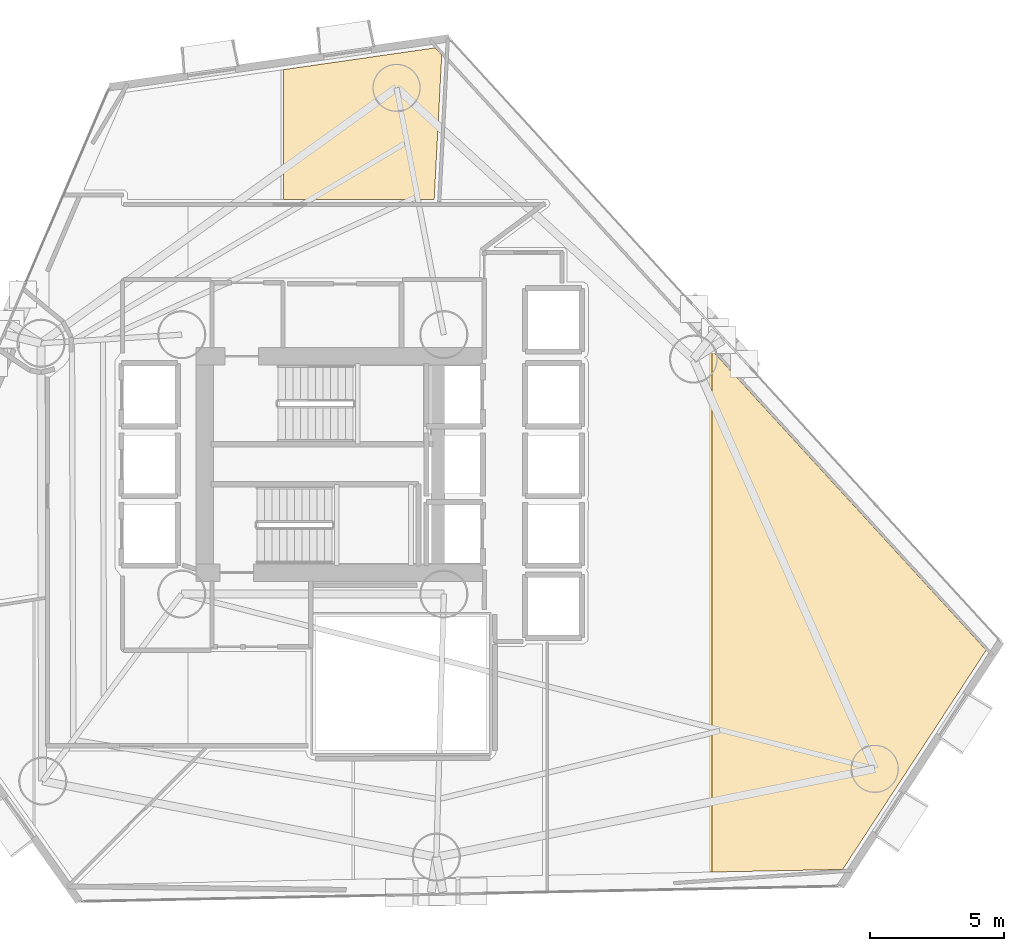
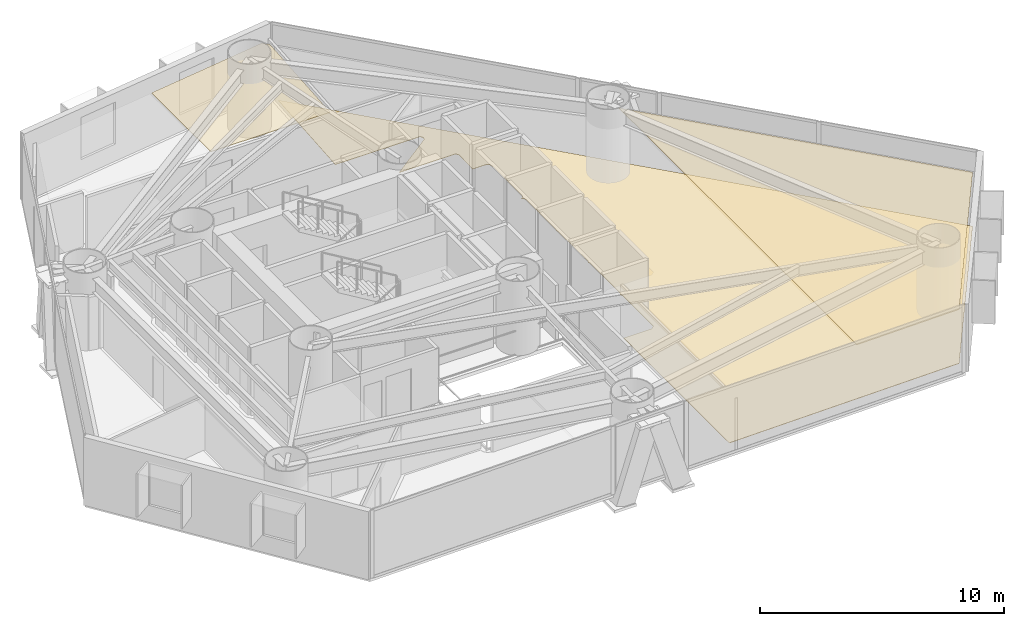
# One storey, part 22 of 22: 3 coverings.
"""IFC4 building model written with IfcOpenShell, lengths in metres."""

from ifc_helpers import new_model, si_unit, direction, frame, origin, place, context, subcontext, project, spatial, polyline, outline, extrude, material, layer, layer_set, type_object, element, save


model = new_model("IFC4")

# Units and contexts
model_context = context("Model", 3, precision=1e-05, world=origin(), true_north=direction((0.0, 1.0)))
body_context = subcontext(model_context, "Body", "Model", "MODEL_VIEW")
ifc_project = project(units=[si_unit("LENGTHUNIT", "METRE"), si_unit("AREAUNIT", "SQUARE_METRE"), si_unit("VOLUMEUNIT", "CUBIC_METRE"), si_unit("PLANEANGLEUNIT", "RADIAN"), si_unit("MASSUNIT", "GRAM", prefix="KILO")], contexts=[model_context])

# Site, building, storey
site_placement = place(None, origin())
site = spatial("IfcSite", under=ifc_project, at=site_placement, CompositionType="ELEMENT")
building_placement = place(site_placement, origin())
building = spatial("IfcBuilding", under=site, at=building_placement, Name="Qianvela Tower", CompositionType="ELEMENT")
storey_placement = place(building_placement, frame((0.0, 0.0, 44.199951171875)))
storey = spatial("IfcBuildingStorey", under=building, at=storey_placement, Name="L10", CompositionType="ELEMENT", Elevation=44.199951171875)

# Coverings
ifc_material_1 = material(Name="Perforated Mineral Acoustic Ceiling Tile")
ifc_layer_1 = layer(ifc_material_1, 0.02490234375)
ifc_layer_set_1 = layer_set([ifc_layer_1], Name="Perforated Mineral Acoustic Ceiling Tile")
covering_type_1 = type_object("IfcCoveringType", Name="COV-CEIL-ACOUSTIC-25", PredefinedType="CEILING", material=ifc_layer_set_1)
covering_1_placement = place(storey_placement, frame((0.0, 0.0, 2.695068359375)))
element("IfcCovering", 1, at=covering_1_placement, inside=storey, type_object=covering_type_1, Name="L10 Acoustic Ceiling Bay 2 Quiet Reading Study L10-02", PredefinedType="CEILING", context=body_context, shape_type="SweptSolid", body=[
    extrude(outline(polyline([(58.677978515625, 21.7529296875), (53.30859375, 13.5546875), (48.425537109375, 13.4580078125), (48.425537109375, 32.96240234375), (58.677978515625, 21.7529296875)])), origin(), (0.0, 0.0, 1.0), 0.02490234375),
])
covering_2_placement = place(storey_placement, frame((0.0, 0.0, 2.695068359375)))
element("IfcCovering", 2, at=covering_2_placement, inside=storey, type_object=covering_type_1, Name="L10 Acoustic Ceiling Bay 2 Panoramic Study Lounge L10-03", PredefinedType="CEILING", context=body_context, shape_type="SweptSolid", body=[
    extrude(outline(polyline([(38.038818359375, 38.610107421875), (32.39892578125, 38.610107421875), (32.39892578125, 43.457763671875), (38.078857421875, 44.27490234375), (38.32177734375, 44.009521484375), (38.038818359375, 38.610107421875)])), origin(), (0.0, 0.0, 1.0), 0.02490234375),
])
ifc_material_2 = material(Name="Engineered Acoustic Oak Timber Flooring", Category="wood")
ifc_layer_2 = layer(ifc_material_2, 0.02001953125)
ifc_layer_set_2 = layer_set([ifc_layer_2], Name="Engineered Acoustic Oak Timber Flooring")
covering_type_2 = type_object("IfcCoveringType", Name="COV-FLOOR-OAK-20", PredefinedType="FLOORING", material=ifc_layer_set_2)
covering_3_placement = place(storey_placement, origin())
element("IfcCovering", 3, at=covering_3_placement, inside=storey, type_object=covering_type_2, Name="L10 Finish Flooring Quiet Reading Study L10-02", PredefinedType="FLOORING", context=body_context, shape_type="SweptSolid", body=[
    extrude(outline(polyline([(42.3173828125, 21.97998046875), (43.59375, 21.980712890625), (43.6015625, 21.981201171875), (43.609375, 21.982177734375), (43.616943359375, 21.984130859375), (43.624267578125, 21.98681640625), (43.63134765625, 21.989990234375), (43.63818359375, 21.994140625), (43.747802734375, 22.0673828125), (43.754150390625, 22.072021484375), (43.760009765625, 22.077392578125), (43.76513671875, 22.0830078125), (43.77001953125, 22.08935546875), (43.77392578125, 22.09619140625), (43.77734375, 22.10302734375), (43.77978515625, 22.1103515625), (43.781982421875, 22.117919921875), (43.782958984375, 22.125732421875), (43.783447265625, 22.133544921875), (43.79931640625, 24.61328125), (43.799072265625, 24.620361328125), (43.798095703125, 24.62744140625), (43.796630859375, 24.634521484375), (43.79443359375, 24.641357421875), (43.79150390625, 24.64794921875), (43.751220703125, 24.733154296875), (43.74755859375, 24.739990234375), (43.743408203125, 24.74658203125), (43.73828125, 24.752685546875), (43.736083984375, 24.7548828125), (43.7783203125, 24.811767578125), (43.782958984375, 24.81884765625), (43.786865234375, 24.826416015625), (43.789794921875, 24.834228515625), (43.7919921875, 24.84228515625), (43.79345703125, 24.8505859375), (43.7939453125, 24.859130859375), (43.800048828125, 27.2998046875), (43.799560546875, 27.307861328125), (43.79833984375, 27.315673828125), (43.79638671875, 27.323486328125), (43.793701171875, 27.3310546875), (43.7646484375, 27.39990234375), (43.793701171875, 27.468994140625), (43.79638671875, 27.476318359375), (43.79833984375, 27.484130859375), (43.799560546875, 27.491943359375), (43.800048828125, 27.5), (43.800048828125, 29.89990234375), (43.799560546875, 29.907958984375), (43.79833984375, 29.915771484375), (43.79638671875, 29.923583984375), (43.793701171875, 29.93115234375), (43.7646484375, 30.0), (43.793701171875, 30.06884765625), (43.79638671875, 30.076416015625), (43.79833984375, 30.084228515625), (43.799560546875, 30.092041015625), (43.800048828125, 30.10009765625), (43.800048828125, 32.5), (43.799560546875, 32.509033203125), (43.7978515625, 32.518310546875), (43.79541015625, 32.527099609375), (43.763427734375, 32.61572265625), (43.7607421875, 32.62255859375), (43.75732421875, 32.629150390625), (43.75341796875, 32.63525390625), (43.748779296875, 32.64111328125), (43.74365234375, 32.646484375), (43.73828125, 32.6513671875), (43.732421875, 32.655517578125), (43.725830078125, 32.659423828125), (43.6455078125, 32.702392578125), (43.722412109375, 32.739013671875), (43.729248046875, 32.74267578125), (43.73583984375, 32.746826171875), (43.741943359375, 32.751953125), (43.74755859375, 32.757568359375), (43.75244140625, 32.763427734375), (43.7568359375, 32.77001953125), (43.760498046875, 32.777099609375), (43.763427734375, 32.7841796875), (43.79541015625, 32.873046875), (43.79736328125, 32.879638671875), (43.798828125, 32.88623046875), (43.7998046875, 32.893310546875), (43.800048828125, 32.89990234375), (43.79931640625, 35.313720703125), (43.798828125, 35.321533203125), (43.7978515625, 35.329345703125), (43.7958984375, 35.3369140625), (43.793212890625, 35.34423828125), (43.76220703125, 35.41943359375), (43.758544921875, 35.427001953125), (43.75390625, 35.434326171875), (43.748779296875, 35.441162109375), (43.742919921875, 35.447265625), (43.736328125, 35.45263671875), (43.729248046875, 35.45751953125), (43.6484375, 35.505859375), (43.640869140625, 35.510009765625), (43.6328125, 35.51318359375), (43.62451171875, 35.515380859375), (43.6162109375, 35.516845703125), (43.607666015625, 35.517333984375), (43.0, 35.519775390625), (43.010009765625, 36.6494140625), (43.009765625, 36.6572265625), (43.008544921875, 36.6650390625), (43.006591796875, 36.6728515625), (43.00390625, 36.680419921875), (43.00048828125, 36.6875), (42.99658203125, 36.6943359375), (42.947021484375, 36.768310546875), (42.9423828125, 36.774658203125), (42.937255859375, 36.780517578125), (42.931396484375, 36.78564453125), (42.925048828125, 36.790283203125), (42.91845703125, 36.79443359375), (42.911376953125, 36.7978515625), (42.904052734375, 36.80029296875), (42.896484375, 36.80224609375), (42.888671875, 36.803466796875), (42.880859375, 36.803955078125), (40.26220703125, 36.8095703125), (42.298583984375, 38.321533203125), (42.3046875, 38.32666015625), (42.310302734375, 38.332275390625), (42.315185546875, 38.33837890625), (42.319580078125, 38.34521484375), (42.323486328125, 38.352294921875), (42.35546875, 38.422119140625), (42.3583984375, 38.429443359375), (42.360595703125, 38.437255859375), (42.3623046875, 38.445068359375), (42.36279296875, 38.452880859375), (42.36279296875, 38.4609375), (42.36181640625, 38.468994140625), (42.360107421875, 38.476806640625), (42.357421875, 38.484375), (42.354248046875, 38.49169921875), (42.35009765625, 38.498779296875), (42.308837890625, 38.563232421875), (42.30419921875, 38.56982421875), (42.298828125, 38.57568359375), (42.293212890625, 38.581298828125), (42.28662109375, 38.586181640625), (42.27978515625, 38.59033203125), (42.272705078125, 38.59375), (42.265380859375, 38.5966796875), (42.257568359375, 38.5986328125), (42.24951171875, 38.599853515625), (42.24169921875, 38.60009765625), (38.282958984375, 38.60986328125), (38.552734375, 43.7568359375), (58.677978515625, 21.7529296875), (53.30859375, 13.5546875), (42.317626953125, 13.3369140625), (42.3173828125, 21.97998046875)])), origin(), (0.0, 0.0, 1.0), 0.02001953125),
])

save(model, "model.ifc")
